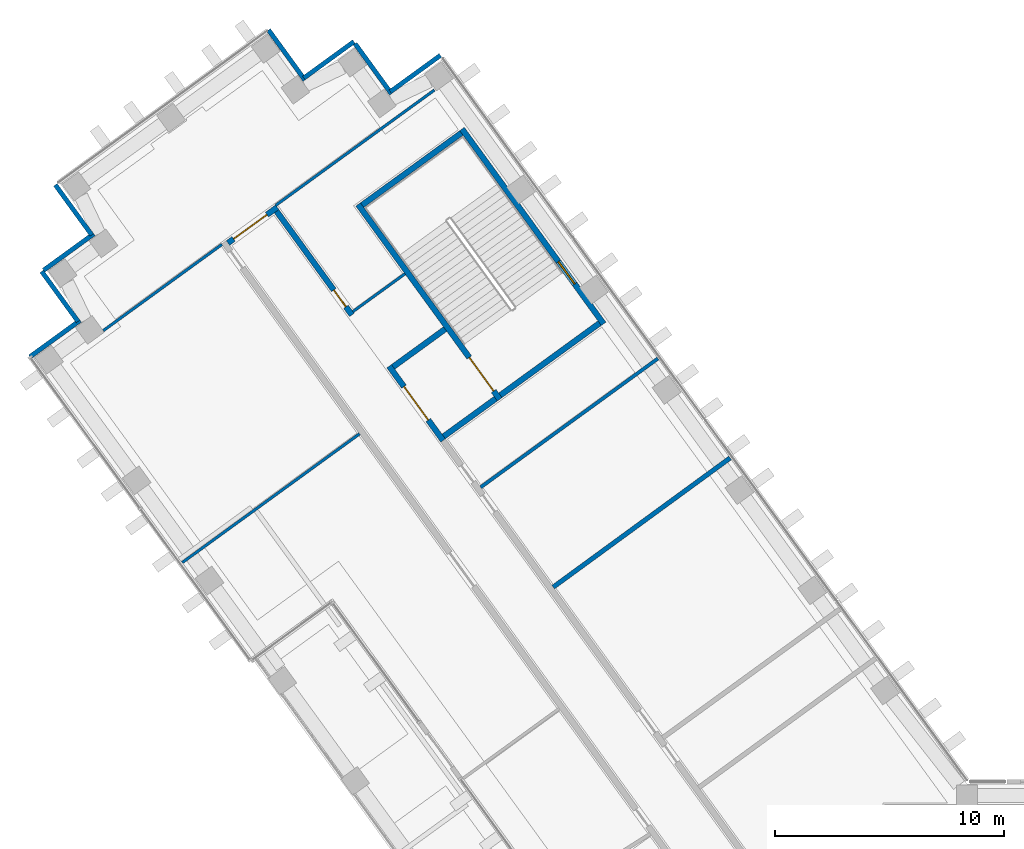
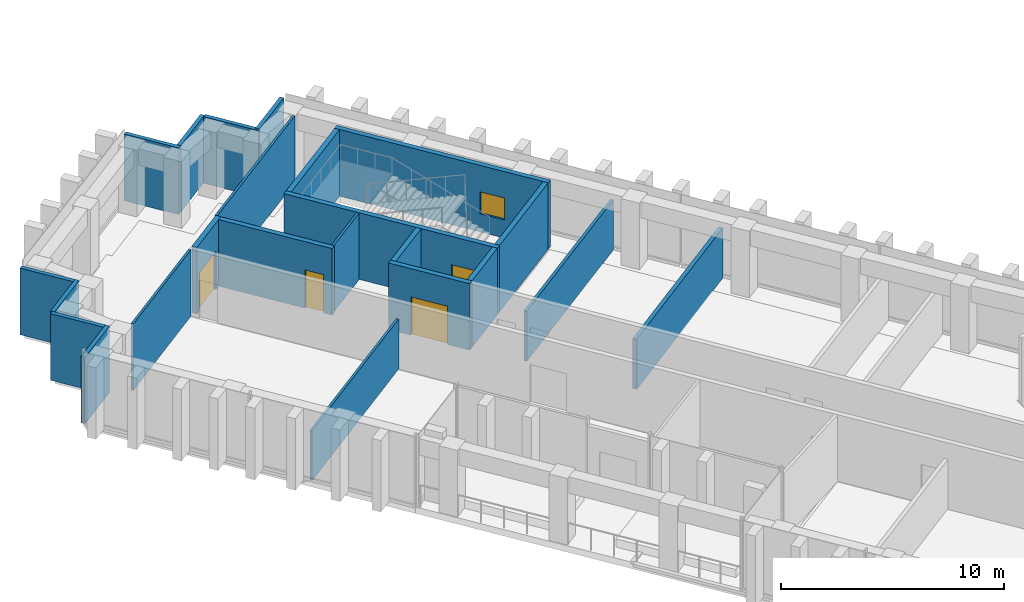
# One storey, part 10 of 16: 23 walls, 4 doors, 1 window, 5 openings.
"""IFC4 building model written with IfcOpenShell, lengths in metres."""

from ifc_helpers import new_model, si_unit, direction, frame, frame_2d, origin, place, context, subcontext, project, spatial, rectangle, extrude, material, layer, layer_set, type_object, element, fill, save


model = new_model("IFC4")

# Units and contexts
model_context = context("Model", 3, precision=1e-05, world=origin(), true_north=direction((0.0, 1.0)))
body_context = subcontext(model_context, "Body", "Model", "MODEL_VIEW")
ifc_project = project(units=[si_unit("LENGTHUNIT", "METRE"), si_unit("AREAUNIT", "SQUARE_METRE"), si_unit("VOLUMEUNIT", "CUBIC_METRE"), si_unit("PLANEANGLEUNIT", "RADIAN"), si_unit("MASSUNIT", "GRAM", prefix="KILO")], contexts=[model_context])

# Site, building, storey
site_placement = place(None, origin())
site = spatial("IfcSite", under=ifc_project, at=site_placement, CompositionType="ELEMENT")
building_placement = place(site_placement, origin())
building = spatial("IfcBuilding", under=site, at=building_placement, Name="Quipu Civic Tower", CompositionType="ELEMENT")
storey_placement = place(building_placement, frame((0.0, 0.0, 51.0)))
storey = spatial("IfcBuildingStorey", under=building, at=storey_placement, Name="L11", CompositionType="ELEMENT", Elevation=51.0)

# Walls
ifc_material_1 = material(Name="Double gypsum plasterboard with mineral wool")
ifc_layer_1 = layer(ifc_material_1, 0.14990234375)
ifc_layer_set_1 = layer_set([ifc_layer_1], Name="Double gypsum plasterboard with mineral wool")
wall_type_1 = type_object("IfcWallType", Name="Acoustic partition 150 plasterboard", PredefinedType="PARTITIONING", material=ifc_layer_set_1)
wall_1_placement = place(storey_placement, frame((-27.873046875, 29.550537109375, 0.0), z_axis=(0.0, 0.0, 1.0), x_axis=(-0.809043311713, -0.587749027879, 0.0)))
element("IfcWall", 1, at=wall_1_placement, inside=storey, type_object=wall_type_1, Name="Partition P15", PredefinedType="PARTITIONING", context=body_context, shape_type="SweptSolid", body=[
    extrude(rectangle(XDim=9.549560546875, YDim=0.14990234375, at=frame_2d((4.77490234375, 0.0))), origin(), (0.0, 0.0, 1.0), 2.75),
])
ifc_material_2 = material(Name="Fired clay blockwork", Category="masonry")
ifc_layer_2 = layer(ifc_material_2, 0.199951171875)
ifc_layer_set_2 = layer_set([ifc_layer_2], Name="Fired clay blockwork")
wall_type_2 = type_object("IfcWallType", Name="Blockwork wall 200", PredefinedType="SOLIDWALL", material=ifc_layer_set_2)
wall_2_placement = place(storey_placement, frame((-32.43701171875, 19.5849609375, 0.0), z_axis=(0.0, 0.0, 1.0), x_axis=(0.807606997933, 0.589721067023, 0.0)))
element("IfcWall", 2, at=wall_2_placement, inside=storey, type_object=wall_type_2, Name="Partition P14", PredefinedType="SOLIDWALL", context=body_context, shape_type="SweptSolid", body=[
    extrude(rectangle(XDim=9.550048828125, YDim=0.199951171875, at=frame_2d((4.77490234375, 0.0))), origin(), (0.0, 0.0, 1.0), 2.75),
])

# Wall, opening, window
ifc_material_3 = material(Name="Concrete C70/85", Category="concrete")
ifc_layer_3 = layer(ifc_material_3, 0.25)
ifc_layer_set_3 = layer_set([ifc_layer_3], Name="Concrete C70/85")
wall_type_3 = type_object("IfcWallType", Name="Core wall 250", PredefinedType="SHEAR", material=ifc_layer_set_3)
wall_3_placement = place(storey_placement, frame((-30.239501953125, 31.06396484375, 0.0), z_axis=(0.0, 0.0, 1.0), x_axis=(-0.587795589702, 0.809009483706, 0.0)))
wall_3 = element("IfcWall", 3, at=wall_3_placement, inside=storey, type_object=wall_type_3, Name="Core wall", PredefinedType="SHEAR", context=body_context, shape_type="SweptSolid", body=[
    extrude(rectangle(XDim=10.5, YDim=0.25, at=frame_2d((5.25, 0.0))), origin(), (0.0, 0.0, 1.0), 3.64990234375),
])
opening_1_placement = place(wall_3_placement, frame((2.14990234375, 0.0, 1.0)))
opening_1 = element("IfcOpeningElement", 4, at=opening_1_placement, cuts=wall_3, Name="Opening SV-6", PredefinedType="OPENING", context=body_context, shape_type="SweptSolid", body=[
    extrude(rectangle(XDim=1.199951171875, YDim=1.199951171875, at=frame_2d((0.60009765625, 0.60009765625))), frame((0.0, 0.135009765625, 0.0), z_axis=(0.0, -1.0, 0.0), x_axis=(1.0, 0.0, 0.0)), (0.0, 0.0, 1.0), 0.27001953125),
])
ifc_material_4 = material(Name="Aluminium louvre", Category="aluminium")
window_type = type_object("IfcWindowType", Name="Stair ventilation louvre 1200 x 1200", PartitioningType="SINGLE_PANEL", PredefinedType="WINDOW", material=ifc_material_4)
window_placement = place(opening_1_placement, origin())
window = element("IfcWindow", 5, at=window_placement, inside=storey, type_object=window_type, Name="Stair ventilation opening", OverallHeight=1.199951171875, OverallWidth=1.199951171875, PartitioningType="SINGLE_PANEL", PredefinedType="WINDOW", context=body_context, shape_type="SweptSolid", body=[
    extrude(rectangle(XDim=1.199951171875, YDim=1.199951171875, at=frame_2d((0.60009765625, 0.60009765625))), frame((0.0, 0.030029296875, 0.0), z_axis=(0.0, -1.0, 0.0), x_axis=(1.0, 0.0, 0.0)), (0.0, 0.0, 1.0), 0.06005859375),
])
fill(opening_1, window)

# Walls
wall_4_placement = place(storey_placement, frame((-30.414306640625, 31.091796875, 0.0), z_axis=(0.0, 0.0, 1.0), x_axis=(-0.8089984606, -0.587810760999, 0.0)))
element("IfcWall", 6, at=wall_4_placement, inside=storey, type_object=wall_type_3, Name="Core wall", PredefinedType="SHEAR", context=body_context, shape_type="SweptSolid", body=[
    extrude(rectangle(XDim=5.35009765625, YDim=0.25, at=frame_2d((2.675048828125, 0.0))), origin(), (0.0, 0.0, 1.0), 3.64990234375),
])
wall_5_placement = place(storey_placement, frame((-36.43896484375, 39.384033203125, 0.0), z_axis=(0.0, 0.0, 1.0), x_axis=(-0.809020161303, -0.587780893365, 0.0)))
element("IfcWall", 7, at=wall_5_placement, inside=storey, type_object=wall_type_3, Name="Core wall", PredefinedType="SHEAR", context=body_context, shape_type="SweptSolid", body=[
    extrude(rectangle(XDim=5.349853515625, YDim=0.25, at=frame_2d((2.6748046875, 0.0))), origin(), (0.0, 0.0, 1.0), 3.64990234375),
])

# Wall, opening, door
wall_6_placement = place(storey_placement, frame((-40.94189453125, 36.26708984375, 0.0), z_axis=(0.0, 0.0, 1.0), x_axis=(0.587795589702, -0.809009483706, 0.0)))
wall_6 = element("IfcWall", 8, at=wall_6_placement, inside=storey, type_object=wall_type_3, Name="Core wall", PredefinedType="SHEAR", context=body_context, shape_type="SweptSolid", body=[
    extrude(rectangle(XDim=10.5, YDim=0.25, at=frame_2d((5.25, 0.0))), origin(), (0.0, 0.0, 1.0), 3.64990234375),
])
opening_2_placement = place(wall_6_placement, frame((8.25, 0.0, 0.0)))
opening_2 = element("IfcOpeningElement", 9, at=opening_2_placement, cuts=wall_6, Name="Opening CD-18", PredefinedType="OPENING", context=body_context, shape_type="SweptSolid", body=[
    extrude(rectangle(XDim=1.800048828125, YDim=2.10009765625, at=frame_2d((0.89990234375, 1.050048828125))), frame((0.0, 0.135009765625, 0.0), z_axis=(0.0, -1.0, 0.0), x_axis=(1.0, 0.0, 0.0)), (0.0, 0.0, 1.0), 0.27001953125),
])
ifc_material_5 = material(Name="Fire rated steel door", Category="steel")
door_type_1 = type_object("IfcDoorType", Name="Fire door FD90 double 1800 x 2100", OperationType="NOTDEFINED", PredefinedType="DOOR", material=ifc_material_5)
door_1_placement = place(opening_2_placement, origin())
door_1 = element("IfcDoor", 10, at=door_1_placement, inside=storey, type_object=door_type_1, Name="Door", OperationType="DOUBLE_DOOR_SINGLE_SWING", OverallHeight=2.10009765625, OverallWidth=1.800048828125, PredefinedType="DOOR", context=body_context, shape_type="SweptSolid", body=[
    extrude(rectangle(XDim=1.800048828125, YDim=2.10009765625, at=frame_2d((0.89990234375, 1.050048828125))), frame((0.0, 0.02490234375, 0.0), z_axis=(0.0, -1.0, 0.0), x_axis=(1.0, 0.0, 0.0)), (0.0, 0.0, 1.0), 0.050048828125),
])
fill(opening_2, door_1)

# Walls
for number, where, z_axis, x_axis, name in (
    (11, (-34.944580078125, 27.800048828125, 0.0), (0.0, 0.0, 1.0), (-0.809041377956, -0.587751689708, 0.0), "Core wall"),
    (12, (-37.14892578125, 30.833984375, 0.0), (0.0, 0.0, 1.0), (-0.808969789945, -0.58785021813, 0.0), "Core wall"),
):
    element("IfcWall", number, at=place(storey_placement, frame(where, z_axis=z_axis, x_axis=x_axis)), inside=storey, type_object=wall_type_3, Name=name, PredefinedType="SHEAR", context=body_context, shape_type="SweptSolid", body=[
        extrude(rectangle(XDim=2.800048828125, YDim=0.25, at=frame_2d((1.39990234375, 0.0))), origin(), (0.0, 0.0, 1.0), 3.64990234375),
    ])

# Wall, opening, door
wall_7_placement = place(storey_placement, frame((-39.588623046875, 29.2158203125, 0.0), z_axis=(0.0, 0.0, 1.0), x_axis=(0.587772420479, -0.809026317077, 0.0)))
wall_7 = element("IfcWall", 13, at=wall_7_placement, inside=storey, type_object=wall_type_3, Name="Core wall", PredefinedType="SHEAR", context=body_context, shape_type="SweptSolid", body=[
    extrude(rectangle(XDim=4.0, YDim=0.25, at=frame_2d((2.0, 0.0))), origin(), (0.0, 0.0, 1.0), 3.64990234375),
])
opening_3_placement = place(wall_7_placement, frame((1.10009765625, 0.0, 0.0)))
opening_3 = element("IfcOpeningElement", 14, at=opening_3_placement, cuts=wall_7, Name="Opening CD-19", PredefinedType="OPENING", context=body_context, shape_type="SweptSolid", body=[
    extrude(rectangle(XDim=1.800048828125, YDim=2.10009765625, at=frame_2d((0.89990234375, 1.050048828125))), frame((0.0, 0.135009765625, 0.0), z_axis=(0.0, -1.0, 0.0), x_axis=(1.0, 0.0, 0.0)), (0.0, 0.0, 1.0), 0.27001953125),
])
door_2_placement = place(opening_3_placement, origin())
door_2 = element("IfcDoor", 15, at=door_2_placement, inside=storey, type_object=door_type_1, Name="Lobby door", OperationType="DOUBLE_DOOR_SINGLE_SWING", OverallHeight=2.10009765625, OverallWidth=1.800048828125, PredefinedType="DOOR", context=body_context, shape_type="SweptSolid", body=[
    extrude(rectangle(XDim=1.800048828125, YDim=2.10009765625, at=frame_2d((0.89990234375, 1.050048828125))), frame((0.0, 0.02490234375, 0.0), z_axis=(0.0, -1.0, 0.0), x_axis=(1.0, 0.0, 0.0)), (0.0, 0.0, 1.0), 0.050048828125),
])
fill(opening_3, door_2)

ifc_material_6 = material(Name="Concrete C50/60", Category="concrete")
ifc_layer_4 = layer(ifc_material_6, 0.25)
ifc_layer_set_4 = layer_set([ifc_layer_4], Name="Concrete C50/60")
wall_type_4 = type_object("IfcWallType", Name="Corridor wall 250 concrete", PredefinedType="SOLIDWALL", material=ifc_layer_set_4)
wall_8_placement = place(storey_placement, frame((-46.613037109375, 34.587890625, 0.0), z_axis=(0.0, 0.0, 1.0), x_axis=(0.808994936898, 0.587815610607, 0.0)))
wall_8 = element("IfcWall", 16, at=wall_8_placement, inside=storey, type_object=wall_type_4, Name="Corridor wall C02", PredefinedType="SOLIDWALL", context=body_context, shape_type="SweptSolid", body=[
    extrude(rectangle(XDim=2.650146484375, YDim=0.25, at=frame_2d((1.3251953125, 0.0))), origin(), (0.0, 0.0, 1.0), 3.64990234375),
])
opening_4_placement = place(wall_8_placement, frame((0.29931640625, 0.0, 0.0)))
opening_4 = element("IfcOpeningElement", 17, at=opening_4_placement, cuts=wall_8, Name="Opening D023", PredefinedType="OPENING", context=body_context, shape_type="SweptSolid", body=[
    extrude(rectangle(XDim=1.800048828125, YDim=2.10009765625, at=frame_2d((0.89990234375, 1.050048828125))), frame((0.0, 0.135009765625, 0.0), z_axis=(0.0, -1.0, 0.0), x_axis=(1.0, 0.0, 0.0)), (0.0, 0.0, 1.0), 0.27001953125),
])
ifc_material_7 = material(Name="Fire rated timber door set with metal frame", Category="wood")
door_type_2 = type_object("IfcDoorType", Name="Double door 1800 x 2100 FD60", OperationType="DOUBLE_DOOR_SINGLE_SWING", PredefinedType="DOOR", material=ifc_material_7)
door_3_placement = place(opening_4_placement, origin())
door_3 = element("IfcDoor", 18, at=door_3_placement, inside=storey, type_object=door_type_2, Name="Door D023", OperationType="DOUBLE_DOOR_SINGLE_SWING", OverallHeight=2.10009765625, OverallWidth=1.800048828125, PredefinedType="DOOR", context=body_context, shape_type="SweptSolid", body=[
    extrude(rectangle(XDim=1.800048828125, YDim=2.10009765625, at=frame_2d((0.89990234375, 1.050048828125))), frame((0.0, 0.02490234375, 0.0), z_axis=(0.0, -1.0, 0.0), x_axis=(1.0, 0.0, 0.0)), (0.0, 0.0, 1.0), 0.050048828125),
])
fill(opening_4, door_3)

wall_9_placement = place(storey_placement, frame((-44.49658203125, 35.97119140625, 0.0), z_axis=(0.0, 0.0, 1.0), x_axis=(0.587742866856, -0.809047787501, 0.0)))
wall_9 = element("IfcWall", 19, at=wall_9_placement, inside=storey, type_object=wall_type_4, Name="Corridor wall C03", PredefinedType="SOLIDWALL", context=body_context, shape_type="SweptSolid", body=[
    extrude(rectangle(XDim=5.58642578125, YDim=0.25, at=frame_2d((2.793212890625, 0.0))), origin(), (0.0, 0.0, 1.0), 3.64990234375),
])
opening_5_placement = place(wall_9_placement, frame((4.2451171875, 0.0, 0.0)))
opening_5 = element("IfcOpeningElement", 20, at=opening_5_placement, cuts=wall_9, Name="Opening D012", PredefinedType="OPENING", context=body_context, shape_type="SweptSolid", body=[
    extrude(rectangle(XDim=0.89990234375, YDim=2.10009765625, at=frame_2d((0.449951171875, 1.050048828125))), frame((0.0, 0.135009765625, 0.0), z_axis=(0.0, -1.0, 0.0), x_axis=(1.0, 0.0, 0.0)), (0.0, 0.0, 1.0), 0.27001953125),
])
ifc_material_8 = material(Name="Fire rated timber door set with metal frame", Category="wood")
door_type_3 = type_object("IfcDoorType", Name="Single door 900 x 2100 FD60", OperationType="NOTDEFINED", PredefinedType="DOOR", material=ifc_material_8)
door_4_placement = place(opening_5_placement, origin())
door_4 = element("IfcDoor", 21, at=door_4_placement, inside=storey, type_object=door_type_3, Name="Door D012", OperationType="SINGLE_SWING_RIGHT", OverallHeight=2.10009765625, OverallWidth=0.89990234375, PredefinedType="DOOR", context=body_context, shape_type="SweptSolid", body=[
    extrude(rectangle(XDim=0.89990234375, YDim=2.10009765625, at=frame_2d((0.449951171875, 1.050048828125))), frame((0.0, 0.02490234375, 0.0), z_axis=(0.0, -1.0, 0.0), x_axis=(1.0, 0.0, 0.0)), (0.0, 0.0, 1.0), 0.050048828125),
])
fill(opening_5, door_4)

# Walls
ifc_material_9 = material(Name="Gypsum plasterboard on light gauge framing")
ifc_layer_5 = layer(ifc_material_9, 0.1201171875)
ifc_layer_set_5 = layer_set([ifc_layer_5], Name="Gypsum plasterboard on light gauge framing")
wall_type_5 = type_object("IfcWallType", Name="Partition 120 plasterboard", PredefinedType="PARTITIONING", material=ifc_layer_set_5)
wall_10_placement = place(storey_placement, frame((-40.878173828125, 26.269775390625, 0.0), z_axis=(0.0, 0.0, 1.0), x_axis=(-0.809102944047, -0.587666934526, 0.0)))
element("IfcWall", 22, at=wall_10_placement, inside=storey, type_object=wall_type_5, Name="Partition P03", PredefinedType="PARTITIONING", context=body_context, shape_type="SweptSolid", body=[
    extrude(rectangle(XDim=9.550048828125, YDim=0.1201171875, at=frame_2d((4.77490234375, 0.0))), origin(), (0.0, 0.0, 1.0), 2.75),
])
wall_11_placement = place(storey_placement, frame((-37.614013671875, 41.2568359375, 0.0), z_axis=(0.0, 0.0, 1.0), x_axis=(-0.808991595707, -0.587820208972, 0.0)))
element("IfcWall", 23, at=wall_11_placement, inside=storey, type_object=wall_type_5, Name="Partition P08", PredefinedType="PARTITIONING", context=body_context, shape_type="SweptSolid", body=[
    extrude(rectangle(XDim=8.550537109375, YDim=0.1201171875, at=frame_2d((4.275390625, 0.0))), origin(), (0.0, 0.0, 1.0), 3.64990234375),
])
wall_12_placement = place(storey_placement, frame((-46.877197265625, 34.52587890625, 0.0), z_axis=(0.0, 0.0, 1.0), x_axis=(-0.808993566199, -0.587817497059, 0.0)))
element("IfcWall", 24, at=wall_12_placement, inside=storey, type_object=wall_type_5, Name="Partition P09", PredefinedType="PARTITIONING", context=body_context, shape_type="SweptSolid", body=[
    extrude(rectangle(XDim=6.39453125, YDim=0.1201171875, at=frame_2d((3.197265625, 0.0))), origin(), (0.0, 0.0, 1.0), 3.64990234375),
])
wall_13_placement = place(storey_placement, frame((-41.166015625, 31.59912109375, 0.0), z_axis=(0.0, 0.0, 1.0), x_axis=(0.809090262332, 0.587684394381, 0.0)))
element("IfcWall", 25, at=wall_13_placement, inside=storey, type_object=wall_type_5, Name="Partition P21", PredefinedType="PARTITIONING", context=body_context, shape_type="SweptSolid", body=[
    extrude(rectangle(XDim=2.80078125, YDim=0.1201171875, at=frame_2d((1.400390625, 0.0))), origin(), (0.0, 0.0, 1.0), 3.64990234375),
])
ifc_material_10 = material(Name="Precast concrete C40/50", Category="concrete")
wall_type_6 = type_object("IfcWallType", Name="Precast cladding wall", PredefinedType="SOLIDWALL", material=ifc_material_10)
wall_14_placement = place(storey_placement, frame((-37.352783203125, 42.768310546875, 0.0), z_axis=(0.0, 0.0, 1.0), x_axis=(-0.809033161865, -0.587762999008, 0.0)))
element("IfcWall", 26, at=wall_14_placement, inside=storey, type_object=wall_type_6, Name="Precast cladding wall L11 P30", PredefinedType="SOLIDWALL", context=body_context, shape_type="SweptSolid", body=[
    extrude(rectangle(XDim=2.699951171875, YDim=0.199951171875, at=frame_2d((1.35009765625, 0.0))), origin(), (0.0, 0.0, 1.0), 3.64990234375),
])
wall_15_placement = place(storey_placement, frame((-39.488037109375, 41.093505859375, 0.0), z_axis=(0.0, 0.0, 1.0), x_axis=(-0.587806000234, 0.809001919707, 0.0)))
element("IfcWall", 27, at=wall_15_placement, inside=storey, type_object=wall_type_6, Name="Precast cladding wall L11 P31", PredefinedType="SOLIDWALL", context=body_context, shape_type="SweptSolid", body=[
    extrude(rectangle(XDim=2.69970703125, YDim=0.199951171875, at=frame_2d((1.349853515625, 0.0))), origin(), (0.0, 0.0, 1.0), 3.64990234375),
])
for number, where, z_axis, x_axis, name in (
    (28, (-41.1240234375, 43.36572265625, 0.0), (0.0, 0.0, 1.0), (-0.809033161865, -0.587762999008, 0.0), "Precast cladding wall L11 P32"),
    (29, (-43.25927734375, 41.690673828125, 0.0), (0.0, 0.0, 1.0), (-0.587822180636, 0.808990163075, 0.0), "Precast cladding wall L11 P33"),
    (30, (-54.140380859375, 37.12255859375, 0.0), (0.0, 0.0, 1.0), (0.587822180636, -0.808990163075, 0.0), "Precast cladding wall L11 P35"),
    (31, (-52.46533203125, 34.9873046875, 0.0), (0.0, 0.0, 1.0), (-0.809033161865, -0.587762999008, 0.0), "Precast cladding wall L11 8"),
):
    element("IfcWall", number, at=place(storey_placement, frame(where, z_axis=z_axis, x_axis=x_axis)), inside=storey, type_object=wall_type_6, Name=name, PredefinedType="SOLIDWALL", context=body_context, shape_type="SweptSolid", body=[
        extrude(rectangle(XDim=2.699951171875, YDim=0.199951171875, at=frame_2d((1.35009765625, 0.0))), origin(), (0.0, 0.0, 1.0), 3.64990234375),
    ])
wall_16_placement = place(storey_placement, frame((-54.73779296875, 33.351318359375, 0.0), z_axis=(0.0, 0.0, 1.0), x_axis=(0.587779184282, -0.809021403008, 0.0)))
element("IfcWall", 32, at=wall_16_placement, inside=storey, type_object=wall_type_6, Name="Precast cladding wall L11 9", PredefinedType="SOLIDWALL", context=body_context, shape_type="SweptSolid", body=[
    extrude(rectangle(XDim=2.7001953125, YDim=0.199951171875, at=frame_2d((1.35009765625, 0.0))), origin(), (0.0, 0.0, 1.0), 3.64990234375),
])
wall_17_placement = place(storey_placement, frame((-53.062744140625, 31.2158203125, 0.0), z_axis=(0.0, 0.0, 1.0), x_axis=(-0.809033161865, -0.587762999008, 0.0)))
element("IfcWall", 33, at=wall_17_placement, inside=storey, type_object=wall_type_6, Name="Precast cladding wall L11 10", PredefinedType="SOLIDWALL", context=body_context, shape_type="SweptSolid", body=[
    extrude(rectangle(XDim=2.699951171875, YDim=0.199951171875, at=frame_2d((1.35009765625, 0.0))), origin(), (0.0, 0.0, 1.0), 3.64990234375),
])

save(model, "model.ifc")
